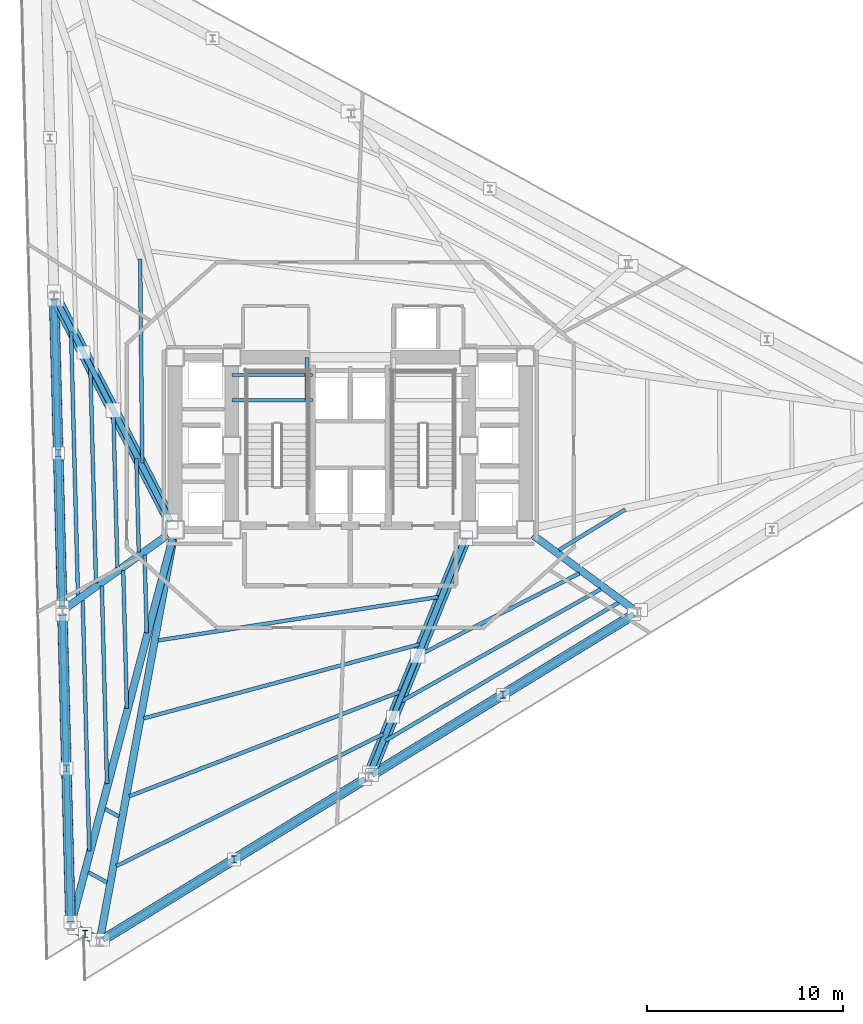
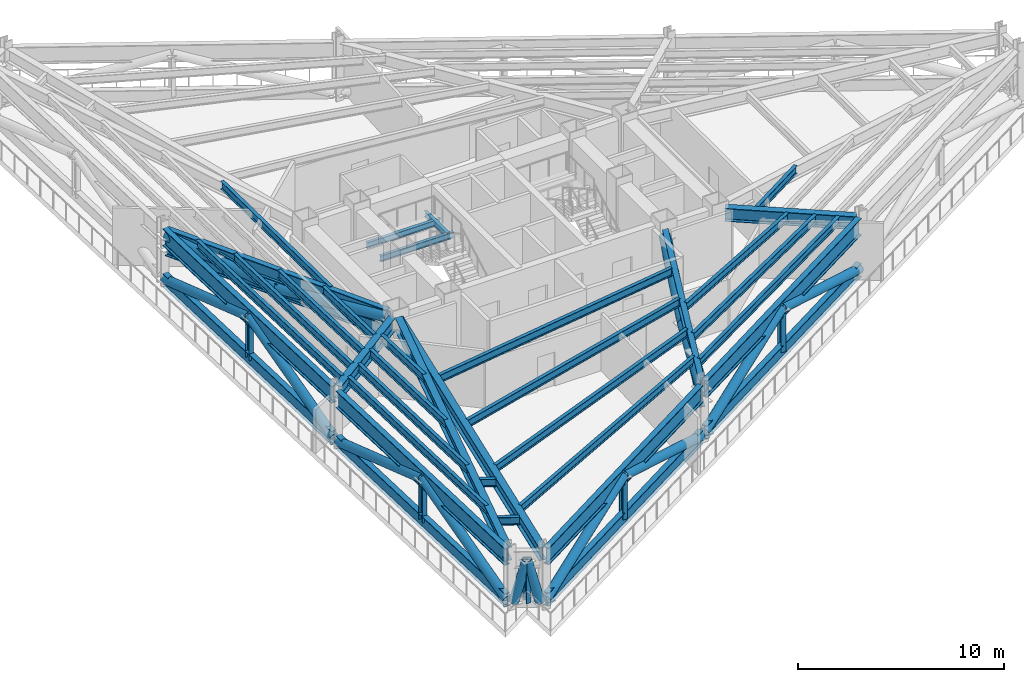
# One storey, part 2 of 10: 30 beams, 29 members.
"""IFC4 building model written with IfcOpenShell, lengths in metres."""

from ifc_helpers import new_model, si_unit, direction, frame, origin, origin_2d, place, context, subcontext, project, spatial, hollow_circle, i_section, extrude, material, material_profile, profile_set, type_object, element, save


model = new_model("IFC4")

# Units and contexts
model_context = context("Model", 3, precision=1e-05, world=origin(), true_north=direction((0.0, 1.0)))
body_context = subcontext(model_context, "Body", "Model", "MODEL_VIEW")
ifc_project = project(units=[si_unit("LENGTHUNIT", "METRE"), si_unit("AREAUNIT", "SQUARE_METRE"), si_unit("VOLUMEUNIT", "CUBIC_METRE"), si_unit("PLANEANGLEUNIT", "RADIAN"), si_unit("MASSUNIT", "GRAM", prefix="KILO")], contexts=[model_context])

# Site, building, storey
site_placement = place(None, origin())
site = spatial("IfcSite", under=ifc_project, at=site_placement, CompositionType="ELEMENT")
building_placement = place(site_placement, origin())
building = spatial("IfcBuilding", under=site, at=building_placement, Name="Rocaltana Carrier Exchange", CompositionType="ELEMENT")
storey_placement = place(building_placement, frame((0.0, 0.0, 45.760009765625)))
storey = spatial("IfcBuildingStorey", under=building, at=storey_placement, Name="L14", CompositionType="ELEMENT", Elevation=45.760009765625)

# Members
ifc_material_1 = material(Name="Steel S460", Category="steel")
ifc_material_profile_1 = material_profile(ifc_material_1, i_section(OverallWidth=0.300048828125, OverallDepth=0.800048828125, WebThickness=0.017578125, FlangeThickness=0.032958984375, FilletRadius=0.030029296875, at=origin_2d()), Name="HEB800")
ifc_profile_set_1 = profile_set([ifc_material_profile_1], Name="Steel S460")
member_type_1 = type_object("IfcMemberType", Name="Belt Truss Chord HEB800", PredefinedType="CHORD", material=ifc_profile_set_1)
for number, where, z_axis, x_axis, name in (
    (1, (-15.115966796875, 7.448974609375, 0.35009765625), (0.026182238984, -0.99965718642, 0.0), (0.99965718642, 0.026182238984, 0.0), "L14 Belt Truss Bottom Chord 6"),
    (2, (-14.694580078125, -8.6455078125, 0.35009765625), (0.026182238984, -0.99965718642, 0.0), (0.99965718642, 0.026182238984, 0.0), "L14 Belt Truss Bottom Chord 7"),
    (3, (-12.62060546875, -25.2275390625, 0.35009765625), (0.852645545454, 0.522489783458, 0.0), (-0.522489783458, 0.852645545454, 0.0), "L14 Belt Truss Bottom Chord 9"),
    (4, (1.10693359375, -16.815185546875, 0.35009765625), (0.852645545454, 0.522489783458, 0.0), (-0.522489783458, 0.852645545454, 0.0), "L14 Belt Truss Bottom Chord 10"),
):
    element("IfcMember", number, at=place(storey_placement, frame(where, z_axis=z_axis, x_axis=x_axis)), inside=storey, type_object=member_type_1, Name=name, PredefinedType="CHORD", context=body_context, shape_type="SweptSolid", body=[
        extrude(i_section(OverallWidth=0.300048828125, OverallDepth=0.800048828125, WebThickness=0.017578125, FlangeThickness=0.032958984375, FilletRadius=0.030029296875, at=origin_2d()), origin(), (0.0, 0.0, 1.0), 15.68408203125),
    ])
ifc_material_2 = material(Name="Steel S460", Category="steel")
ifc_material_profile_2 = material_profile(ifc_material_2, hollow_circle(Radius=0.25390625, WallThickness=0.02001953125, at=origin_2d()), Name="CHS508X20")
ifc_profile_set_2 = profile_set([ifc_material_profile_2], Name="Steel S460")
member_type_2 = type_object("IfcMemberType", Name="Belt Truss Diagonal CHS508", PredefinedType="BRACE", material=ifc_profile_set_2)
for number, where, z_axis, x_axis, name in (
    (5, (-15.115966796875, 7.448974609375, 0.35009765625), (0.024956528153, -0.952858643257, 0.302386470719), (0.99965718642, 0.026182238984, 0.0), "L14 Belt Truss Diagonal 6A"),
    (6, (-14.91064453125, -0.390380859375, 2.837890625), (0.024956528153, -0.952858643257, -0.302386470719), (0.99965718642, 0.026182238984, 0.0), "L14 Belt Truss Diagonal 6B"),
    (7, (-14.694580078125, -8.6455078125, 0.35009765625), (0.024956528153, -0.952858643257, 0.302386470719), (0.99965718642, 0.026182238984, 0.0), "L14 Belt Truss Diagonal 7A"),
    (8, (-14.4892578125, -16.48486328125, 2.837890625), (0.024956528153, -0.952858643257, -0.302386470719), (0.99965718642, 0.026182238984, 0.0), "L14 Belt Truss Diagonal 7B"),
):
    element("IfcMember", number, at=place(storey_placement, frame(where, z_axis=z_axis, x_axis=x_axis)), inside=storey, type_object=member_type_2, Name=name, PredefinedType="BRACE", context=body_context, shape_type="SweptSolid", body=[
        extrude(hollow_circle(Radius=0.25390625, WallThickness=0.02001953125, at=origin_2d()), origin(), (0.0, 0.0, 1.0), 8.227294921875),
    ])
for number, where, z_axis, x_axis, name in (
    (9, (-14.095703125, -24.631591796875, 0.35009765625), (0.217191257177, -0.117819600544, 0.96899251779), (0.476828561714, 0.878996315541, 0.0), "L14 Belt Truss Diagonal 8A"),
    (10, (-13.5380859375, -24.93408203125, 2.837890625), (0.217098214198, -0.117915806223, -0.969001665651), (0.47728721794, 0.878747353675, 0.0), "L14 Belt Truss Diagonal 8B"),
):
    element("IfcMember", number, at=place(storey_placement, frame(where, z_axis=z_axis, x_axis=x_axis)), inside=storey, type_object=member_type_2, Name=name, PredefinedType="BRACE", context=body_context, shape_type="SweptSolid", body=[
        extrude(hollow_circle(Radius=0.25390625, WallThickness=0.02001953125, at=origin_2d()), origin(), (0.0, 0.0, 1.0), 2.5673828125),
    ])
for number, where, z_axis, x_axis, name in (
    (11, (-12.62060546875, -25.2275390625, 0.35009765625), (0.812729733487, 0.498029907884, 0.3023848395), (-0.522489783458, 0.852645545454, 0.0), "L14 Belt Truss Diagonal 9A"),
    (12, (-5.93408203125, -21.130126953125, 2.837890625), (0.812729733487, 0.498029907884, -0.3023848395), (-0.522489783458, 0.852645545454, 0.0), "L14 Belt Truss Diagonal 9B"),
    (13, (1.10693359375, -16.815185546875, 0.35009765625), (0.812729733487, 0.498029907884, 0.3023848395), (-0.522489783458, 0.852645545454, 0.0), "L14 Belt Truss Diagonal 10A"),
    (14, (7.79345703125, -12.7177734375, 2.837890625), (0.812729733487, 0.498029907884, -0.3023848395), (-0.522489783458, 0.852645545454, 0.0), "L14 Belt Truss Diagonal 10B"),
):
    element("IfcMember", number, at=place(storey_placement, frame(where, z_axis=z_axis, x_axis=x_axis)), inside=storey, type_object=member_type_2, Name=name, PredefinedType="BRACE", context=body_context, shape_type="SweptSolid", body=[
        extrude(hollow_circle(Radius=0.25390625, WallThickness=0.02001953125, at=origin_2d()), origin(), (0.0, 0.0, 1.0), 8.227294921875),
    ])
ifc_material_3 = material(Name="Steel S460", Category="steel")
ifc_material_profile_3 = material_profile(ifc_material_3, i_section(OverallWidth=0.257080078125, OverallDepth=0.363037109375, WebThickness=0.012939453125, FlangeThickness=0.021728515625, FilletRadius=0.014892578125, at=origin_2d()), Name="W14X82")
ifc_profile_set_3 = profile_set([ifc_material_profile_3], Name="Steel S460")
member_type_3 = type_object("IfcMemberType", Name="Belt Truss Post W14X82", PredefinedType="POST", material=ifc_profile_set_3)
for number, where, z_axis, x_axis, name in (
    (15, (-14.91064453125, -0.390380859375, 0.35009765625), (0.0, 0.0, 1.0), (1.0, 0.0, 0.0), "L14 Belt Truss Post 6"),
    (16, (-14.4892578125, -16.48486328125, 0.35009765625), (0.0, 0.0, 1.0), (1.0, 0.0, 0.0), "L14 Belt Truss Post 7"),
    (17, (-13.5380859375, -24.93408203125, 0.35009765625), (0.0, 0.0, 1.0), (1.0, 0.0, 0.0), "L14 Belt Truss Post 8"),
    (18, (-5.93408203125, -21.130126953125, 0.35009765625), (0.0, 0.0, 1.0), (1.0, 0.0, 0.0), "L14 Belt Truss Post 9"),
    (19, (7.79345703125, -12.7177734375, 0.35009765625), (0.0, 0.0, 1.0), (1.0, 0.0, 0.0), "L14 Belt Truss Post 10"),
):
    element("IfcMember", number, at=place(storey_placement, frame(where, z_axis=z_axis, x_axis=x_axis)), inside=storey, type_object=member_type_3, Name=name, PredefinedType="POST", context=body_context, shape_type="SweptSolid", body=[
        extrude(i_section(OverallWidth=0.257080078125, OverallDepth=0.363037109375, WebThickness=0.012939453125, FlangeThickness=0.021728515625, FilletRadius=0.014892578125, at=origin_2d()), origin(), (0.0, 0.0, 1.0), 2.48779296875),
    ])

# Beams
ifc_material_4 = material(Name="Steel S355", Category="steel")
ifc_material_profile_4 = material_profile(ifc_material_4, i_section(OverallWidth=0.172119140625, OverallDepth=0.35791015625, WebThickness=0.0078125, FlangeThickness=0.01318359375, FilletRadius=0.011962890625, at=origin_2d()), Name="W14X38")
ifc_profile_set_4 = profile_set([ifc_material_profile_4], Name="Steel S355")
beam_type_1 = type_object("IfcBeamType", Name="Floor Joist W14X38", PredefinedType="JOIST", material=ifc_profile_set_4)
for number, where, z_axis, x_axis, name in (
    (20, (-6.050048828125, 2.300048828125, 1.541015625), (1.0, 0.0, 0.0), (0.0, 1.0, 0.0), "L14 ST-1 Landing Carrier 1"),
    (21, (-6.050048828125, 3.60009765625, 1.541015625), (1.0, 0.0, 0.0), (0.0, 1.0, 0.0), "L14 ST-1 Landing Carrier 2"),
):
    element("IfcBeam", number, at=place(storey_placement, frame(where, z_axis=z_axis, x_axis=x_axis)), inside=storey, type_object=beam_type_1, Name=name, PredefinedType="JOIST", context=body_context, shape_type="SweptSolid", body=[
        extrude(i_section(OverallWidth=0.172119140625, OverallDepth=0.35791015625, WebThickness=0.0078125, FlangeThickness=0.01318359375, FilletRadius=0.011962890625, at=origin_2d()), origin(), (0.0, 0.0, 1.0), 4.110107421875),
    ])
beam_1_placement = place(storey_placement, frame((-2.219970703125, 2.300048828125, 1.541015625), z_axis=(0.0, 1.0, 0.0), x_axis=(-1.0, 0.0, 0.0)))
element("IfcBeam", 22, at=beam_1_placement, inside=storey, type_object=beam_type_1, Name="L14 ST-1 Landing Cross Trimmer", PredefinedType="JOIST", context=body_context, shape_type="SweptSolid", body=[
    extrude(i_section(OverallWidth=0.172119140625, OverallDepth=0.35791015625, WebThickness=0.0078125, FlangeThickness=0.01318359375, FilletRadius=0.011962890625, at=origin_2d()), origin(), (0.0, 0.0, 1.0), 2.199951171875),
])
ifc_material_5 = material(Name="Steel S355", Category="steel")
ifc_material_profile_5 = material_profile(ifc_material_5, i_section(OverallWidth=0.193115234375, OverallDepth=0.466064453125, WebThickness=0.011474609375, FlangeThickness=0.01904296875, FilletRadius=0.013916015625, at=origin_2d()), Name="W18X65")
ifc_profile_set_5 = profile_set([ifc_material_profile_5], Name="Steel S355")
beam_type_2 = type_object("IfcBeamType", Name="Floor Joist W18X65", PredefinedType="JOIST", material=ifc_profile_set_5)
beam_2_placement = place(storey_placement, frame((-10.72802734375, 9.513427734375, 3.18505859375), z_axis=(0.010562543054, -0.999944214786, 0.0), x_axis=(0.999944214786, 0.010562543054, 0.0)))
element("IfcBeam", 23, at=beam_2_placement, inside=storey, type_object=beam_type_2, Name="FJ-L14-05-1", PredefinedType="JOIST", context=body_context, shape_type="SweptSolid", body=[
    extrude(i_section(OverallWidth=0.193115234375, OverallDepth=0.466064453125, WebThickness=0.011474609375, FlangeThickness=0.01904296875, FilletRadius=0.013916015625, at=origin_2d()), origin(), (0.0, 0.0, 1.0), 10.401123046875),
])
beam_3_placement = place(storey_placement, frame((-10.919921875, -0.658203125, 3.18505859375), z_axis=(0.026133527294, -0.999658461051, 0.0), x_axis=(0.999658461051, 0.026133527294, 0.0)))
element("IfcBeam", 24, at=beam_3_placement, inside=storey, type_object=beam_type_2, Name="FJ-L14-06-1", PredefinedType="JOIST", context=body_context, shape_type="SweptSolid", body=[
    extrude(i_section(OverallWidth=0.193115234375, OverallDepth=0.466064453125, WebThickness=0.011474609375, FlangeThickness=0.01904296875, FilletRadius=0.013916015625, at=origin_2d()), origin(), (0.0, 0.0, 1.0), 4.783203125),
])
beam_4_placement = place(storey_placement, frame((-12.092529296875, 1.613525390625, 3.18505859375), z_axis=(0.026182238984, -0.99965718642, 0.0), x_axis=(0.99965718642, 0.026182238984, 0.0)))
element("IfcBeam", 25, at=beam_4_placement, inside=storey, type_object=beam_type_2, Name="FJ-L14-06-2", PredefinedType="JOIST", context=body_context, shape_type="SweptSolid", body=[
    extrude(i_section(OverallWidth=0.193115234375, OverallDepth=0.466064453125, WebThickness=0.011474609375, FlangeThickness=0.01904296875, FilletRadius=0.013916015625, at=origin_2d()), origin(), (0.0, 0.0, 1.0), 7.842041015625),
])
beam_5_placement = place(storey_placement, frame((-13.26513671875, 3.88525390625, 3.18505859375), z_axis=(0.026181231808, -0.999657212799, 0.0), x_axis=(0.999657212799, 0.026181231808, 0.0)))
element("IfcBeam", 26, at=beam_5_placement, inside=storey, type_object=beam_type_2, Name="FJ-L14-06-3", PredefinedType="JOIST", context=body_context, shape_type="SweptSolid", body=[
    extrude(i_section(OverallWidth=0.193115234375, OverallDepth=0.466064453125, WebThickness=0.011474609375, FlangeThickness=0.01904296875, FilletRadius=0.013916015625, at=origin_2d()), origin(), (0.0, 0.0, 1.0), 10.90087890625),
])
beam_6_placement = place(storey_placement, frame((-14.252685546875, 5.79833984375, 3.18505859375), z_axis=(0.026176627706, -0.999657333371, 0.0), x_axis=(0.999657333371, 0.026176627706, 0.0)))
element("IfcBeam", 27, at=beam_6_placement, inside=storey, type_object=beam_type_2, Name="FJ-L14-06-4", PredefinedType="JOIST", context=body_context, shape_type="SweptSolid", body=[
    extrude(i_section(OverallWidth=0.193115234375, OverallDepth=0.466064453125, WebThickness=0.011474609375, FlangeThickness=0.01904296875, FilletRadius=0.013916015625, at=origin_2d()), origin(), (0.0, 0.0, 1.0), 13.47705078125),
])
beam_7_placement = place(storey_placement, frame((-10.497802734375, -5.6015625, 3.18505859375), z_axis=(0.026205007297, -0.999656589831, 0.0), x_axis=(0.999656589831, 0.026205007297, 0.0)))
element("IfcBeam", 28, at=beam_7_placement, inside=storey, type_object=beam_type_2, Name="FJ-L14-07-1", PredefinedType="JOIST", context=body_context, shape_type="SweptSolid", body=[
    extrude(i_section(OverallWidth=0.193115234375, OverallDepth=0.466064453125, WebThickness=0.011474609375, FlangeThickness=0.01904296875, FilletRadius=0.013916015625, at=origin_2d()), origin(), (0.0, 0.0, 1.0), 3.978271484375),
])
beam_8_placement = place(storey_placement, frame((-11.590087890625, -6.3876953125, 3.18505859375), z_axis=(0.026158880393, -0.999657797937, 0.0), x_axis=(0.999657797937, 0.026158880393, 0.0)))
element("IfcBeam", 29, at=beam_8_placement, inside=storey, type_object=beam_type_2, Name="FJ-L14-07-2", PredefinedType="JOIST", context=body_context, shape_type="SweptSolid", body=[
    extrude(i_section(OverallWidth=0.193115234375, OverallDepth=0.466064453125, WebThickness=0.011474609375, FlangeThickness=0.01904296875, FilletRadius=0.013916015625, at=origin_2d()), origin(), (0.0, 0.0, 1.0), 7.037109375),
])
beam_9_placement = place(storey_placement, frame((-12.6826171875, -7.173828125, 3.18505859375), z_axis=(0.026164237679, -0.999657657734, 0.0), x_axis=(0.999657657734, 0.026164237679, 0.0)))
element("IfcBeam", 30, at=beam_9_placement, inside=storey, type_object=beam_type_2, Name="FJ-L14-07-3", PredefinedType="JOIST", context=body_context, shape_type="SweptSolid", body=[
    extrude(i_section(OverallWidth=0.193115234375, OverallDepth=0.466064453125, WebThickness=0.011474609375, FlangeThickness=0.01904296875, FilletRadius=0.013916015625, at=origin_2d()), origin(), (0.0, 0.0, 1.0), 10.09619140625),
])
beam_10_placement = place(storey_placement, frame((-13.66015625, -7.87744140625, 3.18505859375), z_axis=(0.026177605441, -0.999657307768, 0.0), x_axis=(0.999657307768, 0.026177605441, 0.0)))
element("IfcBeam", 31, at=beam_10_placement, inside=storey, type_object=beam_type_2, Name="FJ-L14-07-4", PredefinedType="JOIST", context=body_context, shape_type="SweptSolid", body=[
    extrude(i_section(OverallWidth=0.193115234375, OverallDepth=0.466064453125, WebThickness=0.011474609375, FlangeThickness=0.01904296875, FilletRadius=0.013916015625, at=origin_2d()), origin(), (0.0, 0.0, 1.0), 12.8330078125),
])
beam_11_placement = place(storey_placement, frame((-12.517822265625, -18.550537109375, 3.18505859375), z_axis=(0.878792069528, -0.477204881088, 0.0), x_axis=(0.477204881088, 0.878792069528, 0.0)))
element("IfcBeam", 32, at=beam_11_placement, inside=storey, type_object=beam_type_2, Name="FJ-L14-08-3", PredefinedType="JOIST", context=body_context, shape_type="SweptSolid", body=[
    extrude(i_section(OverallWidth=0.193115234375, OverallDepth=0.466064453125, WebThickness=0.011474609375, FlangeThickness=0.01904296875, FilletRadius=0.013916015625, at=origin_2d()), origin(), (0.0, 0.0, 1.0), 0.810302734375),
])
beam_12_placement = place(storey_placement, frame((-13.370361328125, -21.78759765625, 3.18505859375), z_axis=(0.878818227336, -0.47715670728, 0.0), x_axis=(0.47715670728, 0.878818227336, 0.0)))
element("IfcBeam", 33, at=beam_12_placement, inside=storey, type_object=beam_type_2, Name="FJ-L14-08-4", PredefinedType="JOIST", context=body_context, shape_type="SweptSolid", body=[
    extrude(i_section(OverallWidth=0.193115234375, OverallDepth=0.466064453125, WebThickness=0.011474609375, FlangeThickness=0.01904296875, FilletRadius=0.013916015625, at=origin_2d()), origin(), (0.0, 0.0, 1.0), 1.080078125),
])
beam_13_placement = place(storey_placement, frame((-9.806640625, -9.951416015625, 3.18505859375), z_axis=(0.988206207963, 0.153128999683, 0.0), x_axis=(-0.153128999683, 0.988206207963, 0.0)))
element("IfcBeam", 34, at=beam_13_placement, inside=storey, type_object=beam_type_2, Name="FJ-L14-09-1", PredefinedType="JOIST", context=body_context, shape_type="SweptSolid", body=[
    extrude(i_section(OverallWidth=0.193115234375, OverallDepth=0.466064453125, WebThickness=0.011474609375, FlangeThickness=0.01904296875, FilletRadius=0.013916015625, at=origin_2d()), origin(), (0.0, 0.0, 1.0), 14.46240234375),
])
beam_14_placement = place(storey_placement, frame((-10.541748046875, -13.9287109375, 3.18505859375), z_axis=(0.96580545693, 0.259267852547, 0.0), x_axis=(-0.259267852547, 0.96580545693, 0.0)))
element("IfcBeam", 35, at=beam_14_placement, inside=storey, type_object=beam_type_2, Name="FJ-L14-09-2", PredefinedType="JOIST", context=body_context, shape_type="SweptSolid", body=[
    extrude(i_section(OverallWidth=0.193115234375, OverallDepth=0.466064453125, WebThickness=0.011474609375, FlangeThickness=0.01904296875, FilletRadius=0.013916015625, at=origin_2d()), origin(), (0.0, 0.0, 1.0), 14.55615234375),
])
beam_15_placement = place(storey_placement, frame((-11.27880859375, -17.906982421875, 3.18505859375), z_axis=(0.932977480143, 0.359934746232, 0.0), x_axis=(-0.359934746232, 0.932977480143, 0.0)))
element("IfcBeam", 36, at=beam_15_placement, inside=storey, type_object=beam_type_2, Name="FJ-L14-09-3", PredefinedType="JOIST", context=body_context, shape_type="SweptSolid", body=[
    extrude(i_section(OverallWidth=0.193115234375, OverallDepth=0.466064453125, WebThickness=0.011474609375, FlangeThickness=0.01904296875, FilletRadius=0.013916015625, at=origin_2d()), origin(), (0.0, 0.0, 1.0), 14.822021484375),
])
beam_16_placement = place(storey_placement, frame((-11.939697265625, -21.468017578125, 3.18505859375), z_axis=(0.896476950773, 0.443090370842, 0.0), x_axis=(-0.443090370842, 0.896476950773, 0.0)))
element("IfcBeam", 37, at=beam_16_placement, inside=storey, type_object=beam_type_2, Name="FJ-L14-09-4", PredefinedType="JOIST", context=body_context, shape_type="SweptSolid", body=[
    extrude(i_section(OverallWidth=0.193115234375, OverallDepth=0.466064453125, WebThickness=0.011474609375, FlangeThickness=0.01904296875, FilletRadius=0.013916015625, at=origin_2d()), origin(), (0.0, 0.0, 1.0), 15.19921875),
])
beam_17_placement = place(storey_placement, frame((3.60302734375, -10.654296875, 3.18505859375), z_axis=(0.891058368022, 0.453888736121, 0.0), x_axis=(-0.453888736121, 0.891058368022, 0.0)))
element("IfcBeam", 38, at=beam_17_placement, inside=storey, type_object=beam_type_2, Name="FJ-L14-10-2", PredefinedType="JOIST", context=body_context, shape_type="SweptSolid", body=[
    extrude(i_section(OverallWidth=0.193115234375, OverallDepth=0.466064453125, WebThickness=0.011474609375, FlangeThickness=0.01904296875, FilletRadius=0.013916015625, at=origin_2d()), origin(), (0.0, 0.0, 1.0), 9.082763671875),
])
beam_18_placement = place(storey_placement, frame((2.626708984375, -13.04638671875, 3.18505859375), z_axis=(0.871788662597, 0.489882157021, 0.0), x_axis=(-0.489882157021, 0.871788662597, 0.0)))
element("IfcBeam", 39, at=beam_18_placement, inside=storey, type_object=beam_type_2, Name="FJ-L14-10-3", PredefinedType="JOIST", context=body_context, shape_type="SweptSolid", body=[
    extrude(i_section(OverallWidth=0.193115234375, OverallDepth=0.466064453125, WebThickness=0.011474609375, FlangeThickness=0.01904296875, FilletRadius=0.013916015625, at=origin_2d()), origin(), (0.0, 0.0, 1.0), 11.6513671875),
])
beam_19_placement = place(storey_placement, frame((1.805419921875, -15.0625, 3.18505859375), z_axis=(0.86035291557, 0.509698794064, 0.0), x_axis=(-0.509698794064, 0.86035291557, 0.0)))
element("IfcBeam", 40, at=beam_19_placement, inside=storey, type_object=beam_type_2, Name="FJ-L14-10-4", PredefinedType="JOIST", context=body_context, shape_type="SweptSolid", body=[
    extrude(i_section(OverallWidth=0.193115234375, OverallDepth=0.466064453125, WebThickness=0.011474609375, FlangeThickness=0.01904296875, FilletRadius=0.013916015625, at=origin_2d()), origin(), (0.0, 0.0, 1.0), 13.82470703125),
])
beam_20_placement = place(storey_placement, frame((10.648193359375, -5.3408203125, 3.18505859375), z_axis=(0.852630358316, 0.522514566379, 0.0), x_axis=(-0.522514566379, 0.852630358316, 0.0)))
element("IfcBeam", 41, at=beam_20_placement, inside=storey, type_object=beam_type_2, Name="FJ-L14-11-1", PredefinedType="JOIST", context=body_context, shape_type="SweptSolid", body=[
    extrude(i_section(OverallWidth=0.193115234375, OverallDepth=0.466064453125, WebThickness=0.011474609375, FlangeThickness=0.01904296875, FilletRadius=0.013916015625, at=origin_2d()), origin(), (0.0, 0.0, 1.0), 3.97802734375),
])

# Members
ifc_material_6 = material(Name="Steel S460", Category="steel")
ifc_material_profile_6 = material_profile(ifc_material_6, i_section(OverallWidth=0.300048828125, OverallDepth=0.89990234375, WebThickness=0.0185546875, FlangeThickness=0.034912109375, FilletRadius=0.030029296875, at=origin_2d()), Name="HEB900")
ifc_profile_set_6 = profile_set([ifc_material_profile_6], Name="Steel S460")
member_type_4 = type_object("IfcMemberType", Name="Outrigger Chord HEB900", PredefinedType="CHORD", material=ifc_profile_set_6)
for number, where, z_axis, x_axis, name in (
    (42, (-9.166015625, -3.881591796875, 2.239990234375), (-0.458641946289, 0.888621159496, 0.0), (-0.888621159496, -0.458641946289, 0.0), "L14 Outrigger Bottom Chord 6"),
    (43, (-9.166015625, -3.881591796875, 2.93798828125), (-0.458641946289, 0.888621159496, 0.0), (-0.888621159496, -0.458641946289, 0.0), "L14 Outrigger Top Chord 6"),
):
    element("IfcMember", number, at=place(storey_placement, frame(where, z_axis=z_axis, x_axis=x_axis)), inside=storey, type_object=member_type_4, Name=name, PredefinedType="CHORD", context=body_context, shape_type="SweptSolid", body=[
        extrude(i_section(OverallWidth=0.300048828125, OverallDepth=0.89990234375, WebThickness=0.0185546875, FlangeThickness=0.034912109375, FilletRadius=0.030029296875, at=origin_2d()), origin(), (0.0, 0.0, 1.0), 12.776611328125),
    ])
for number, where, z_axis, x_axis, name in (
    (44, (5.873046875, -4.736572265625, 2.239990234375), (-0.375874099649, -0.926670740454, 0.0), (0.926670740454, -0.375874099649, 0.0), "L14 Outrigger Bottom Chord 10"),
    (45, (5.873046875, -4.736572265625, 2.93798828125), (-0.375874099649, -0.926670740454, 0.0), (0.926670740454, -0.375874099649, 0.0), "L14 Outrigger Top Chord 10"),
):
    element("IfcMember", number, at=place(storey_placement, frame(where, z_axis=z_axis, x_axis=x_axis)), inside=storey, type_object=member_type_4, Name=name, PredefinedType="CHORD", context=body_context, shape_type="SweptSolid", body=[
        extrude(i_section(OverallWidth=0.300048828125, OverallDepth=0.89990234375, WebThickness=0.0185546875, FlangeThickness=0.034912109375, FilletRadius=0.030029296875, at=origin_2d()), origin(), (0.0, 0.0, 1.0), 12.94384765625),
    ])
ifc_material_7 = material(Name="Steel S460", Category="steel")
ifc_material_profile_7 = material_profile(ifc_material_7, hollow_circle(Radius=0.304931640625, WallThickness=0.02490234375, at=origin_2d()), Name="CHS610X25")
ifc_profile_set_7 = profile_set([ifc_material_profile_7], Name="Steel S460")
member_type_5 = type_object("IfcMemberType", Name="Outrigger Diagonal CHS610", PredefinedType="BRACE", material=ifc_profile_set_7)
member_1_placement = place(storey_placement, frame((-9.166015625, -3.881591796875, 2.93798828125), z_axis=(-0.455913223913, 0.883372235285, -0.108612274574), x_axis=(-0.888629198121, -0.458626371077, 0.0)))
element("IfcMember", 46, at=member_1_placement, inside=storey, type_object=member_type_5, Name="L14 Outrigger Inner Diagonal 6", PredefinedType="BRACE", context=body_context, shape_type="SweptSolid", body=[
    extrude(hollow_circle(Radius=0.304931640625, WallThickness=0.02490234375, at=origin_2d()), origin(), (0.0, 0.0, 1.0), 6.426513671875),
])
member_2_placement = place(storey_placement, frame((-12.095947265625, 1.79541015625, 2.239990234375), z_axis=(-0.455943825626, 0.883355544507, 0.108619564825), x_axis=(-0.888613120052, -0.458657522418, 0.0)))
element("IfcMember", 47, at=member_2_placement, inside=storey, type_object=member_type_5, Name="L14 Outrigger Outer Diagonal 6", PredefinedType="BRACE", context=body_context, shape_type="SweptSolid", body=[
    extrude(hollow_circle(Radius=0.304931640625, WallThickness=0.02490234375, at=origin_2d()), origin(), (0.0, 0.0, 1.0), 6.426025390625),
])
for number, where, z_axis, x_axis, name in (
    (48, (5.873046875, -4.736572265625, 2.93798828125), (-0.37370694741, -0.92132789674, -0.107228840089), (0.926670740454, -0.375874099649, 0.0), "L14 Outrigger Inner Diagonal 10"),
    (49, (3.4404296875, -10.73388671875, 2.239990234375), (-0.37370694741, -0.92132789674, 0.107228840089), (0.926670740454, -0.375874099649, 0.0), "L14 Outrigger Outer Diagonal 10"),
):
    element("IfcMember", number, at=place(storey_placement, frame(where, z_axis=z_axis, x_axis=x_axis)), inside=storey, type_object=member_type_5, Name=name, PredefinedType="BRACE", context=body_context, shape_type="SweptSolid", body=[
        extrude(hollow_circle(Radius=0.304931640625, WallThickness=0.02490234375, at=origin_2d()), origin(), (0.0, 0.0, 1.0), 6.509521484375),
    ])

# Beams
ifc_material_8 = material(Name="Steel S355", Category="steel")
ifc_material_profile_8 = material_profile(ifc_material_8, i_section(OverallWidth=0.381103515625, OverallDepth=0.77294921875, WebThickness=0.0166015625, FlangeThickness=0.027099609375, FilletRadius=0.01904296875, at=origin_2d()), Name="W30X173")
ifc_profile_set_8 = profile_set([ifc_material_profile_8], Name="Steel S355")
beam_type_3 = type_object("IfcBeamType", Name="Plant Floor Girder W30X173", PredefinedType="BEAM", material=ifc_profile_set_8)
beam_21_placement = place(storey_placement, frame((-9.3291015625, -4.57275390625, 3.031494140625), z_axis=(-0.811680897727, -0.584101121609, 0.0), x_axis=(0.584101121609, -0.811680897727, 0.0)))
element("IfcBeam", 50, at=beam_21_placement, inside=storey, type_object=beam_type_3, Name="RG-L14-07", PredefinedType="BEAM", context=body_context, shape_type="SweptSolid", body=[
    extrude(i_section(OverallWidth=0.381103515625, OverallDepth=0.77294921875, WebThickness=0.0166015625, FlangeThickness=0.027099609375, FilletRadius=0.01904296875, at=origin_2d()), origin(), (0.0, 0.0, 1.0), 6.4130859375),
])
beam_22_placement = place(storey_placement, frame((-9.06884765625, -4.751708984375, 3.031494140625), z_axis=(-0.254688527576, -0.967023140323, 0.0), x_axis=(0.967023140323, -0.254688527576, 0.0)))
element("IfcBeam", 51, at=beam_22_placement, inside=storey, type_object=beam_type_3, Name="RG-L14-08", PredefinedType="BEAM", context=body_context, shape_type="SweptSolid", body=[
    extrude(i_section(OverallWidth=0.381103515625, OverallDepth=0.77294921875, WebThickness=0.0166015625, FlangeThickness=0.027099609375, FilletRadius=0.01904296875, at=origin_2d()), origin(), (0.0, 0.0, 1.0), 20.2509765625),
])
beam_23_placement = place(storey_placement, frame((-9.033935546875, -4.759521484375, 3.031494140625), z_axis=(-0.179928749917, -0.983679645491, 0.0), x_axis=(0.983679645491, -0.179928749917, 0.0)))
element("IfcBeam", 52, at=beam_23_placement, inside=storey, type_object=beam_type_3, Name="RG-L14-09", PredefinedType="BEAM", context=body_context, shape_type="SweptSolid", body=[
    extrude(i_section(OverallWidth=0.381103515625, OverallDepth=0.77294921875, WebThickness=0.0166015625, FlangeThickness=0.027099609375, FilletRadius=0.01904296875, at=origin_2d()), origin(), (0.0, 0.0, 1.0), 20.714111328125),
])
beam_24_placement = place(storey_placement, frame((9.32568359375, -4.577392578125, 3.031494140625), z_axis=(0.804638080619, -0.59376557598, 0.0), x_axis=(0.59376557598, 0.804638080619, 0.0)))
element("IfcBeam", 53, at=beam_24_placement, inside=storey, type_object=beam_type_3, Name="RG-L14-11", PredefinedType="BEAM", context=body_context, shape_type="SweptSolid", body=[
    extrude(i_section(OverallWidth=0.381103515625, OverallDepth=0.77294921875, WebThickness=0.0166015625, FlangeThickness=0.027099609375, FilletRadius=0.01904296875, at=origin_2d()), origin(), (0.0, 0.0, 1.0), 6.422119140625),
])
ifc_material_9 = material(Name="Steel S460", Category="steel")
ifc_material_profile_9 = material_profile(ifc_material_9, i_section(OverallWidth=0.302001953125, OverallDepth=1.008056640625, WebThickness=0.02099609375, FlangeThickness=0.0400390625, FilletRadius=0.030029296875, at=origin_2d()), Name="HEM1000")
ifc_profile_set_9 = profile_set([ifc_material_profile_9], Name="Steel S460")
beam_type_4 = type_object("IfcBeamType", Name="Transfer Ring Girder HEM1000", PredefinedType="USERDEFINED", material=ifc_profile_set_9)
for number, where, z_axis, x_axis, name in (
    (54, (-15.1162109375, 7.452880859375, 2.9140625), (0.026184348618, -0.999657131164, 0.0), (0.999657131164, 0.026184348618, 0.0), "SP-L14-06"),
    (55, (-14.694580078125, -8.6416015625, 2.9140625), (0.026184348618, -0.999657131164, 0.0), (0.999657131164, 0.026184348618, 0.0), "SP-L14-07"),
):
    element("IfcBeam", number, at=place(storey_placement, frame(where, z_axis=z_axis, x_axis=x_axis)), inside=storey, type_object=beam_type_4, Name=name, ObjectType="TRANSFER GIRDER", PredefinedType="USERDEFINED", context=body_context, shape_type="SweptSolid", body=[
        extrude(i_section(OverallWidth=0.302001953125, OverallDepth=1.008056640625, WebThickness=0.02099609375, FlangeThickness=0.0400390625, FilletRadius=0.030029296875, at=origin_2d()), origin(), (0.0, 0.0, 1.0), 15.692138671875),
    ])
beam_25_placement = place(storey_placement, frame((-12.623779296875, -25.2294921875, 2.9140625), z_axis=(0.852642393394, 0.522494927236, 0.0), x_axis=(-0.522494927236, 0.852642393394, 0.0)))
element("IfcBeam", 56, at=beam_25_placement, inside=storey, type_object=beam_type_4, Name="SP-L14-09", ObjectType="TRANSFER GIRDER", PredefinedType="USERDEFINED", context=body_context, shape_type="SweptSolid", body=[
    extrude(i_section(OverallWidth=0.302001953125, OverallDepth=1.008056640625, WebThickness=0.02099609375, FlangeThickness=0.0400390625, FilletRadius=0.030029296875, at=origin_2d()), origin(), (0.0, 0.0, 1.0), 15.69189453125),
])
beam_26_placement = place(storey_placement, frame((1.103515625, -16.8173828125, 2.9140625), z_axis=(0.852646640744, 0.522487996061, 0.0), x_axis=(-0.522487996061, 0.852646640744, 0.0)))
element("IfcBeam", 57, at=beam_26_placement, inside=storey, type_object=beam_type_4, Name="SP-L14-10", ObjectType="TRANSFER GIRDER", PredefinedType="USERDEFINED", context=body_context, shape_type="SweptSolid", body=[
    extrude(i_section(OverallWidth=0.302001953125, OverallDepth=1.008056640625, WebThickness=0.02099609375, FlangeThickness=0.0400390625, FilletRadius=0.030029296875, at=origin_2d()), origin(), (0.0, 0.0, 1.0), 15.692138671875),
])

# Members
ifc_material_10 = material(Name="Steel S460", Category="steel")
ifc_material_profile_10 = material_profile(ifc_material_10, i_section(OverallWidth=0.257080078125, OverallDepth=0.363037109375, WebThickness=0.012939453125, FlangeThickness=0.021728515625, FilletRadius=0.014892578125, at=origin_2d()), Name="W14X82")
ifc_profile_set_10 = profile_set([ifc_material_profile_10], Name="Steel S460")
member_type_6 = type_object("IfcMemberType", Name="Wind Floor Tie Strut W14X82", PredefinedType="STRUT", material=ifc_profile_set_10)
member_3_placement = place(storey_placement, frame((-12.095947265625, 1.79541015625, 2.239990234375), z_axis=(-0.448869409765, 0.869617053913, 0.205626925576), x_axis=(-0.888606163295, -0.458671000341, 0.0)))
element("IfcMember", 58, at=member_3_placement, inside=storey, type_object=member_type_6, Name="L14 Wind Floor Tie Strut 6", PredefinedType="STRUT", context=body_context, shape_type="SweptSolid", body=[
    extrude(i_section(OverallWidth=0.257080078125, OverallDepth=0.363037109375, WebThickness=0.012939453125, FlangeThickness=0.021728515625, FilletRadius=0.014892578125, at=origin_2d()), origin(), (0.0, 0.0, 1.0), 3.39453125),
])
member_4_placement = place(storey_placement, frame((3.4404296875, -10.73388671875, 2.239990234375), z_axis=(-0.368019508628, -0.907369465975, 0.203081987101), x_axis=(0.926679865046, -0.37585160332, 0.0)))
element("IfcMember", 59, at=member_4_placement, inside=storey, type_object=member_type_6, Name="L14 Wind Floor Tie Strut 10", PredefinedType="STRUT", context=body_context, shape_type="SweptSolid", body=[
    extrude(i_section(OverallWidth=0.257080078125, OverallDepth=0.363037109375, WebThickness=0.012939453125, FlangeThickness=0.021728515625, FilletRadius=0.014892578125, at=origin_2d()), origin(), (0.0, 0.0, 1.0), 3.43701171875),
])

save(model, "model.ifc")
